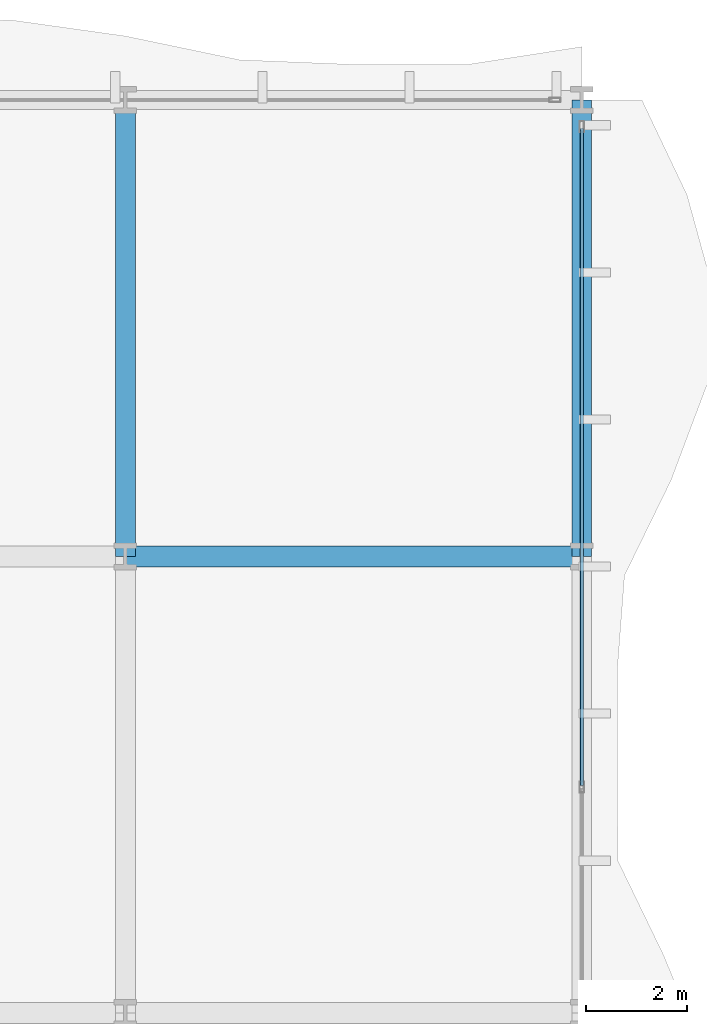
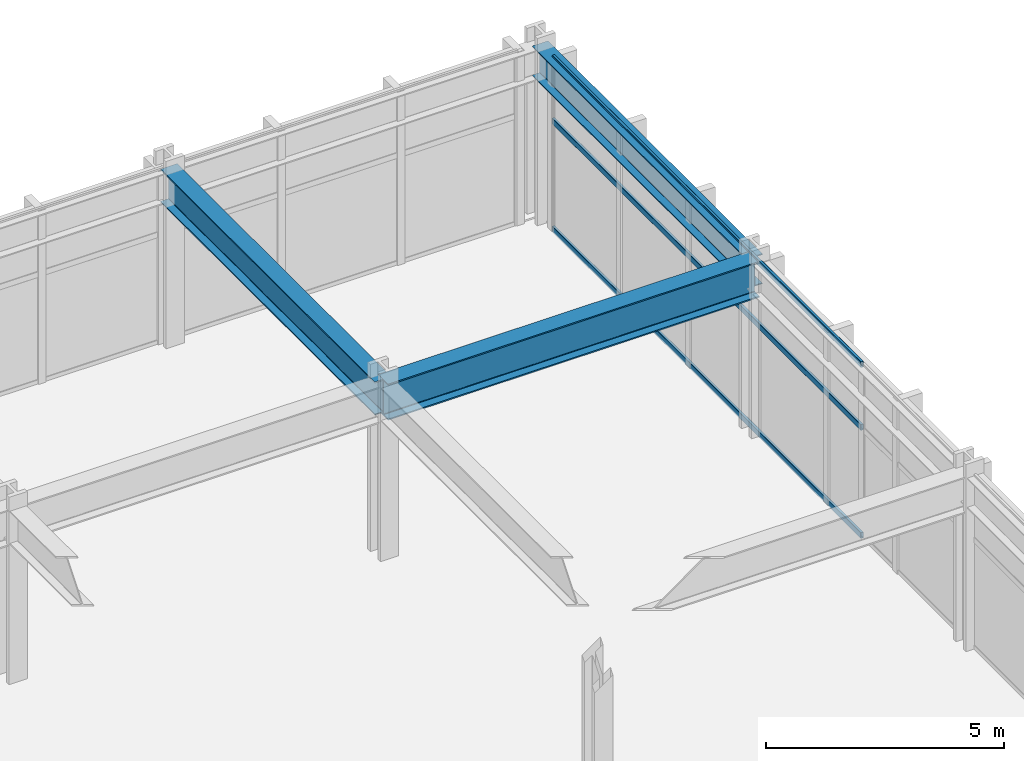
# One storey, part 18 of 31: 3 beams, 3 members, 1 element without a shape of its own.
"""IFC4 building model written with IfcOpenShell, lengths in metres."""

from ifc_helpers import new_model, si_unit, direction, frame, origin, origin_2d, place, context, subcontext, project, spatial, hollow_rectangle, i_section, extrude, material, layer, layer_set, material_profile, profile_set, type_object, element, aggregate, save


model = new_model("IFC4")

# Units and contexts
model_context = context("Model", 3, precision=1e-05, world=origin(), true_north=direction((0.0, 1.0)))
body_context = subcontext(model_context, "Body", "Model", "MODEL_VIEW")
ifc_project = project(units=[si_unit("LENGTHUNIT", "METRE"), si_unit("AREAUNIT", "SQUARE_METRE"), si_unit("VOLUMEUNIT", "CUBIC_METRE"), si_unit("PLANEANGLEUNIT", "RADIAN"), si_unit("MASSUNIT", "GRAM", prefix="KILO")], contexts=[model_context])

# Site, building, storey
site_placement = place(None, origin())
site = spatial("IfcSite", under=ifc_project, at=site_placement, CompositionType="ELEMENT")
building_placement = place(site_placement, origin())
building = spatial("IfcBuilding", under=site, at=building_placement, Name="Solvaryn Broadcast Tower", CompositionType="ELEMENT")
storey_placement = place(building_placement, frame((0.0, 0.0, 26.0)))
storey = spatial("IfcBuildingStorey", under=building, at=storey_placement, Name="L05", CompositionType="ELEMENT", Elevation=26.0)

# Beams
ifc_material_1 = material(Name="Steel ASTM A992 Grade 50", Category="steel")
ifc_material_profile_1 = material_profile(ifc_material_1, i_section(OverallWidth=0.41796875, OverallDepth=0.927001953125, WebThickness=0.019287109375, FlangeThickness=0.031982421875, FilletRadius=0.02392578125, at=origin_2d()))
ifc_profile_set_1 = profile_set([ifc_material_profile_1], Name="Steel ASTM A992 Grade 50")
beam_type_1 = type_object("IfcBeamType", Name="BM-G2-W36X231", PredefinedType="BEAM", material=ifc_profile_set_1)
beam_1_placement = place(storey_placement, frame((54.0, 45.0, 3.9765625), z_axis=(1.0, 0.0, 0.0), x_axis=(0.0, 1.0, 0.0)))
element("IfcBeam", 1, at=beam_1_placement, inside=storey, type_object=beam_type_1, Name="L05 Primary Beam X (54-63 @ Y=45)", PredefinedType="BEAM", context=body_context, shape_type="SweptSolid", body=[
    extrude(i_section(OverallWidth=0.41796875, OverallDepth=0.927001953125, WebThickness=0.019287109375, FlangeThickness=0.031982421875, FilletRadius=0.02392578125, at=origin_2d()), origin(), (0.0, 0.0, 1.0), 9.0),
])
ifc_material_2 = material(Name="Steel ASTM A992 Grade 50", Category="steel")
ifc_material_profile_2 = material_profile(ifc_material_2, i_section(OverallWidth=0.39990234375, OverallDepth=0.85498046875, WebThickness=0.018310546875, FlangeThickness=0.029296875, FilletRadius=0.02001953125, at=origin_2d()))
ifc_profile_set_2 = profile_set([ifc_material_profile_2], Name="Steel ASTM A992 Grade 50")
beam_type_2 = type_object("IfcBeamType", Name="BM-G3-W33X201", PredefinedType="BEAM", material=ifc_profile_set_2)
beam_2_placement = place(storey_placement, frame((54.0, 45.0, 4.012451171875), z_axis=(0.0, 1.0, 0.0), x_axis=(-1.0, 0.0, 0.0)))
element("IfcBeam", 2, at=beam_2_placement, inside=storey, type_object=beam_type_2, Name="L05 Primary Beam Y (45-54 @ X=54)", PredefinedType="BEAM", context=body_context, shape_type="SweptSolid", body=[
    extrude(i_section(OverallWidth=0.39990234375, OverallDepth=0.85498046875, WebThickness=0.018310546875, FlangeThickness=0.029296875, FilletRadius=0.02001953125, at=origin_2d()), origin(), (0.0, 0.0, 1.0), 9.0),
])
ifc_material_3 = material(Name="Steel ASTM A992 Grade 50", Category="steel")
ifc_material_profile_3 = material_profile(ifc_material_3, i_section(OverallWidth=0.381103515625, OverallDepth=0.77294921875, WebThickness=0.0166015625, FlangeThickness=0.027099609375, FilletRadius=0.01806640625, at=origin_2d()))
ifc_profile_set_3 = profile_set([ifc_material_profile_3], Name="Steel ASTM A992 Grade 50")
beam_type_3 = type_object("IfcBeamType", Name="BM-SP1-W30X173", PredefinedType="USERDEFINED", material=ifc_profile_set_3)
beam_3_placement = place(storey_placement, frame((63.0, 45.0, 4.053466796875), z_axis=(0.0, 1.0, 0.0), x_axis=(-1.0, 0.0, 0.0)))
element("IfcBeam", 3, at=beam_3_placement, inside=storey, type_object=beam_type_3, Name="L05 Spandrel Beam Y (45-54 @ X=63)", ObjectType="SPANDREL", PredefinedType="USERDEFINED", context=body_context, shape_type="SweptSolid", body=[
    extrude(i_section(OverallWidth=0.381103515625, OverallDepth=0.77294921875, WebThickness=0.0166015625, FlangeThickness=0.027099609375, FilletRadius=0.01806640625, at=origin_2d()), origin(), (0.0, 0.0, 1.0), 9.0),
])

# Curtain wall, members
ifc_material_4 = material(Name="Aluminium and Terracotta Unitised Curtain Wall", Category="masonry")
ifc_layer = layer(ifc_material_4, 0.219970703125)
ifc_layer_set = layer_set([ifc_layer], Name="CW-SYS1-PODIUM")
curtain_wall_type = type_object("IfcCurtainWallType", Name="CW-SYS1-PODIUM", PredefinedType="NOTDEFINED", material=ifc_layer_set)
curtain_wall_placement = place(storey_placement, origin())
curtain_wall = element("IfcCurtainWall", 4, at=curtain_wall_placement, inside=storey, type_object=curtain_wall_type, Name="L05 Podium Curtain Wall E1", PredefinedType="NOTDEFINED")
ifc_material_5 = material(Name="Anodised Aluminium 6063-T6", Category="aluminium")
ifc_material_profile_4 = material_profile(ifc_material_5, hollow_rectangle(XDim=0.06494140625, YDim=0.14990234375, WallThickness=0.00390625, InnerFilletRadius=0.00390625, OuterFilletRadius=0.008056640625, at=origin_2d()))
ifc_profile_set_4 = profile_set([ifc_material_profile_4], Name="Anodised Aluminium 6063-T6")
member_type = type_object("IfcMemberType", Name="CW-TRN-150", PredefinedType="USERDEFINED", material=ifc_profile_set_4)
member_1_placement = place(storey_placement, frame((63.0, 53.43994140625, 0.030029296875), z_axis=(0.0, -1.0, 0.0), x_axis=(1.0, 0.0, 0.0)))
member_1 = element("IfcMember", 5, at=member_1_placement, type_object=member_type, Name="CWS1 transom 1.1", ObjectType="TRANSOM", PredefinedType="USERDEFINED", context=body_context, shape_type="SweptSolid", body=[
    extrude(hollow_rectangle(XDim=0.06494140625, YDim=0.14990234375, WallThickness=0.00390625, InnerFilletRadius=0.00390625, OuterFilletRadius=0.008056640625, at=origin_2d()), origin(), (0.0, 0.0, 1.0), 12.9599609375),
])
member_2_placement = place(storey_placement, frame((63.0, 53.43994140625, 2.800048828125), z_axis=(0.0, -1.0, 0.0), x_axis=(1.0, 0.0, 0.0)))
member_2 = element("IfcMember", 6, at=member_2_placement, type_object=member_type, Name="CWS1 transom 1.2", ObjectType="TRANSOM", PredefinedType="USERDEFINED", context=body_context, shape_type="SweptSolid", body=[
    extrude(hollow_rectangle(XDim=0.06494140625, YDim=0.14990234375, WallThickness=0.00390625, InnerFilletRadius=0.00390625, OuterFilletRadius=0.008056640625, at=origin_2d()), origin(), (0.0, 0.0, 1.0), 12.9599609375),
])
member_3_placement = place(storey_placement, frame((63.0, 53.43994140625, 4.409912109375), z_axis=(0.0, -1.0, 0.0), x_axis=(1.0, 0.0, 0.0)))
member_3 = element("IfcMember", 7, at=member_3_placement, type_object=member_type, Name="CWS1 transom 1.3", ObjectType="TRANSOM", PredefinedType="USERDEFINED", context=body_context, shape_type="SweptSolid", body=[
    extrude(hollow_rectangle(XDim=0.06494140625, YDim=0.14990234375, WallThickness=0.00390625, InnerFilletRadius=0.00390625, OuterFilletRadius=0.008056640625, at=origin_2d()), origin(), (0.0, 0.0, 1.0), 12.9599609375),
])
aggregate(curtain_wall, [member_1, member_2, member_3])

save(model, "model.ifc")
